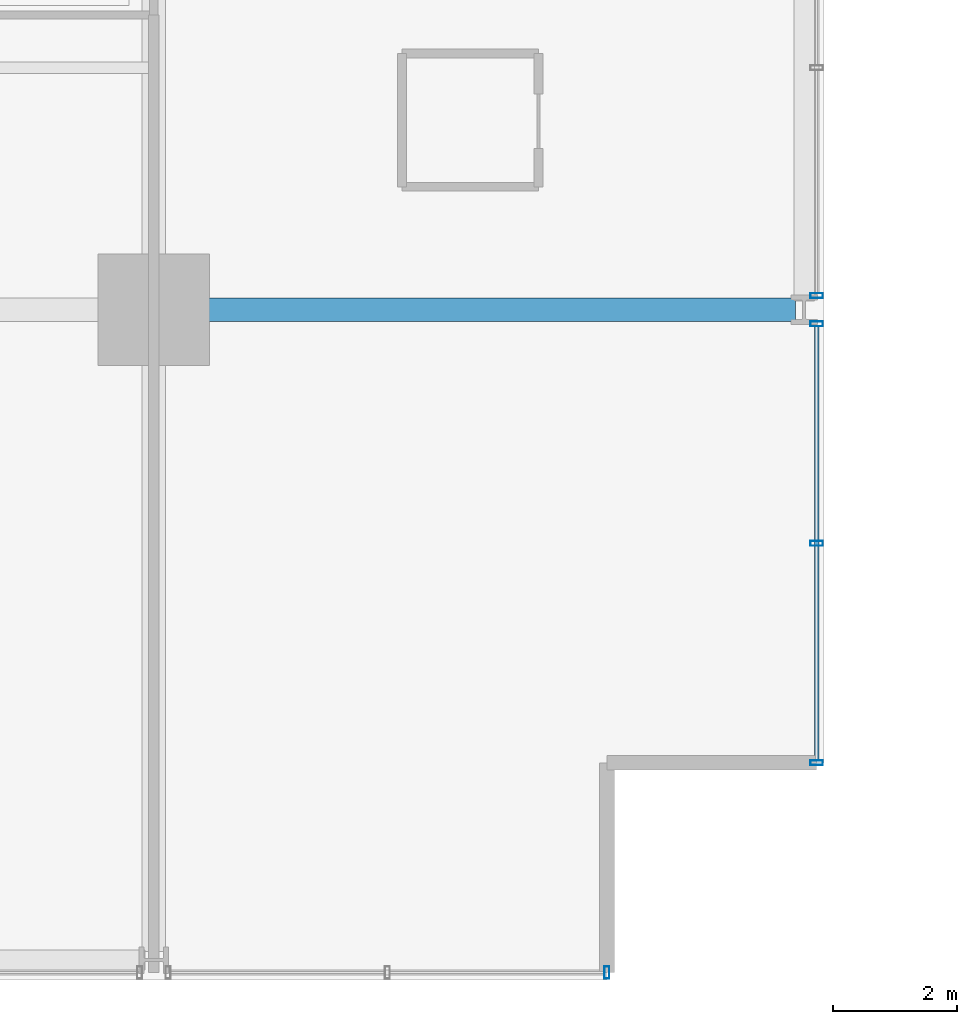
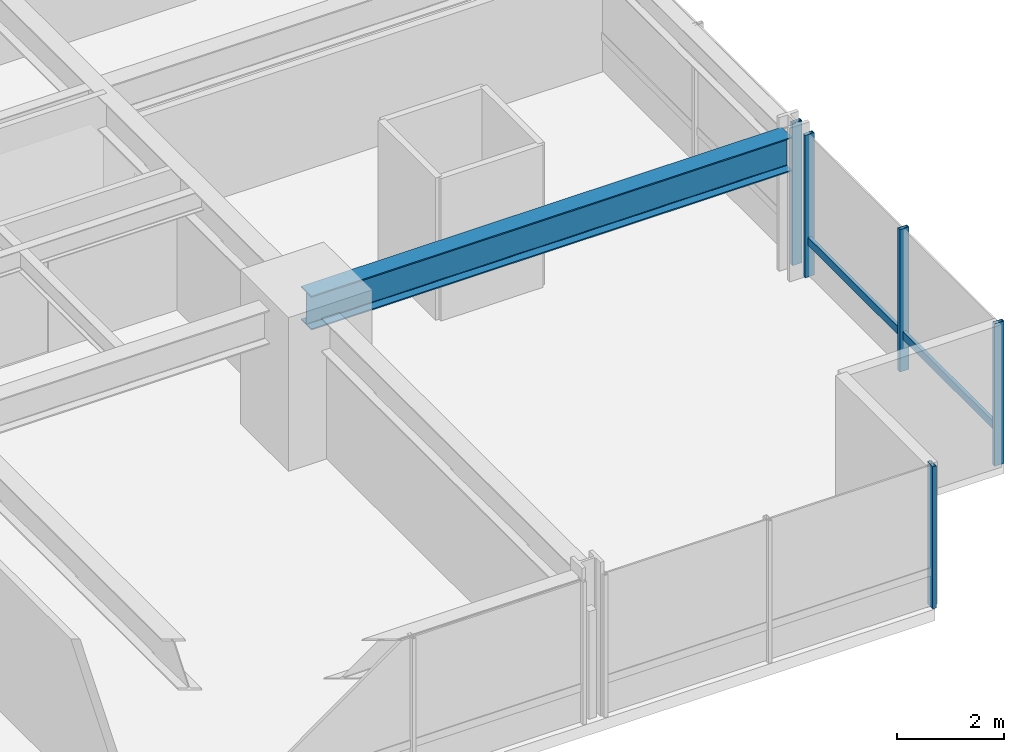
# One storey, part 13 of 38: 6 members, 1 beam, 3 elements without a shape of their own.
"""IFC4 building model written with IfcOpenShell, lengths in metres."""

import ifcopenshell
import ifcopenshell.guid

model = None  # the IFC model being written
_history = None  # IfcOwnerHistory: only IFC2X3 demands one
_inside = {}  # id of a spatial element -> (the spatial element, [elements in it])
_under = {}  # id of a project, library or spatial element -> (it, [spatial elements below it])
_declared = {}  # id of a project -> (the project, [libraries it declares])
_typed = {}  # id of a type object -> (the type object, [elements of that type])
_made_of = {}  # id of a material, layer set ... -> (it, [elements and type objects made of it])


def new_model(schema):
    """Start an empty IFC model of exactly this schema.

    Asked for "IFC4X3", IfcOpenShell would pick the latest addendum, in which some entities
    have other attributes; the version numbers below select the first issue.
    IFC2X3 requires an IfcOwnerHistory on every rooted entity: one is made here for all.
    """
    global model, _history
    if schema == "IFC4X3":
        model = ifcopenshell.file(schema_version=(4, 3, 0, 0))
    else:
        model = ifcopenshell.file(schema=schema)
    _inside.clear()
    _under.clear()
    _declared.clear()
    _typed.clear()
    _made_of.clear()
    _history = None
    if model.schema == "IFC2X3":
        org = make("IfcOrganization", Name="unknown")
        user = make(
            "IfcPersonAndOrganization",
            ThePerson=make("IfcPerson", FamilyName="unknown"),
            TheOrganization=org,
        )
        app = make(
            "IfcApplication",
            ApplicationDeveloper=org,
            Version="unknown",
            ApplicationFullName="unknown",
            ApplicationIdentifier="unknown",
        )
        _history = make(
            "IfcOwnerHistory",
            OwningUser=user,
            OwningApplication=app,
            ChangeAction="ADDED",
            CreationDate=0,
        )
    return model


def make(cls, **values):
    """One entity of the class cls with the attributes given. An attribute that is None is left unset."""
    return model.create_entity(
        cls, **{name: value for name, value in values.items() if value is not None}
    )


def rooted(cls, **values):
    """An entity with a GlobalId (a new one), such as an element, a storey or a relation."""
    return make(cls, GlobalId=ifcopenshell.guid.new(), OwnerHistory=_history, **values)


def si_unit(unit_type, name, prefix=None):
    """IfcSIUnit, for example si_unit("LENGTHUNIT", "METRE", prefix="MILLI")."""
    return make("IfcSIUnit", UnitType=unit_type, Prefix=prefix, Name=name)


def assignment(units):
    """IfcUnitAssignment: the units of a project."""
    return None if units is None else make("IfcUnitAssignment", Units=units)


def point(xyz):
    """IfcCartesianPoint."""
    return None if xyz is None else make("IfcCartesianPoint", Coordinates=xyz)


def direction(xyz):
    """IfcDirection."""
    return None if xyz is None else make("IfcDirection", DirectionRatios=xyz)


def frame(location, z_axis=None, x_axis=None):
    """IfcAxis2Placement3D, a coordinate frame: its origin and axes. An axis left out is left unset."""
    return make(
        "IfcAxis2Placement3D",
        Location=point(location),
        Axis=direction(z_axis),
        RefDirection=direction(x_axis),
    )


def frame_2d(location, x_axis=None):
    """IfcAxis2Placement2D, a coordinate frame in the plane: its origin and x axis."""
    return make(
        "IfcAxis2Placement2D", Location=point(location), RefDirection=direction(x_axis)
    )


def origin():
    """The frame at (0, 0, 0) with its axes left unset."""
    return frame((0.0, 0.0, 0.0))


def origin_2d():
    """The frame at (0, 0) in the plane with its x axis left unset."""
    return frame_2d((0.0, 0.0))


def place(relative_to, where):
    """IfcLocalPlacement: puts the frame where relative to a parent placement (None: the world)."""
    return make(
        "IfcLocalPlacement", PlacementRelTo=relative_to, RelativePlacement=where
    )


def context(
    kind, dimensions, precision=None, world=None, true_north=None, identifier=None
):
    """IfcGeometricRepresentationContext, for example the 3D "Model" context."""
    return make(
        "IfcGeometricRepresentationContext",
        ContextIdentifier=identifier,
        ContextType=kind,
        CoordinateSpaceDimension=dimensions,
        Precision=precision,
        WorldCoordinateSystem=world,
        TrueNorth=true_north,
    )


def subcontext(parent, identifier, kind, view, scale=None):
    """IfcGeometricRepresentationSubContext, for example "Body" below "Model"."""
    return make(
        "IfcGeometricRepresentationSubContext",
        ContextIdentifier=identifier,
        ContextType=kind,
        ParentContext=parent,
        TargetScale=scale,
        TargetView=view,
    )


def project(units=None, contexts=None):
    """IfcProject with its units and contexts."""
    return rooted(
        "IfcProject",
        Name="project",
        RepresentationContexts=contexts,
        UnitsInContext=assignment(units),
    )


def spatial(cls, under=None, at=None, **own):
    """A site, building, storey or space (cls), placed at a placement, below another one or the project."""
    s = rooted(cls, ObjectPlacement=at, **own)
    if under is not None:
        _under.setdefault(under.id(), (under, []))[1].append(s)
    return s


def profile(cls, at=None, kind="AREA", **sizes):
    """A parametric profile (cls). Its sizes go by their IFC names, for example OverallWidth=200.0."""
    return make(cls, ProfileType=kind, Position=at, **sizes)


def hollow_rectangle(**sizes):
    """IfcRectangleHollowProfileDef."""
    return profile("IfcRectangleHollowProfileDef", **sizes)


def i_section(**sizes):
    """IfcIShapeProfileDef."""
    return profile("IfcIShapeProfileDef", **sizes)


def extrude(swept, where, along, depth):
    """IfcExtrudedAreaSolid: the profile swept, set in the frame where, extruded along a direction by depth."""
    return make(
        "IfcExtrudedAreaSolid",
        SweptArea=swept,
        Position=where,
        ExtrudedDirection=direction(along),
        Depth=depth,
    )


def shape(context_of_items, identifier, shape_type, items):
    """IfcShapeRepresentation: the items that make up one representation, for example the "Body"."""
    return make(
        "IfcShapeRepresentation",
        ContextOfItems=context_of_items,
        RepresentationIdentifier=identifier,
        RepresentationType=shape_type,
        Items=items,
    )


def material(Name=None, Category=None):
    """IfcMaterial."""
    return make("IfcMaterial", Name=Name, Category=Category)


def layer(
    of_material, thickness, ventilated=None, Name=None, Category=None, Priority=None
):
    """IfcMaterialLayer: one layer of a wall or slab, of a material (None: an air gap)."""
    return make(
        "IfcMaterialLayer",
        Material=of_material,
        LayerThickness=thickness,
        IsVentilated=ventilated,
        Name=Name,
        Category=Category,
        Priority=Priority,
    )


def layer_set(layers, Name=None):
    """IfcMaterialLayerSet."""
    return make("IfcMaterialLayerSet", MaterialLayers=layers, LayerSetName=Name)


def material_profile(
    of_material, cross_section, Name=None, Category=None, Priority=None
):
    """IfcMaterialProfile: a cross section and its material."""
    return make(
        "IfcMaterialProfile",
        Name=Name,
        Material=of_material,
        Profile=cross_section,
        Priority=Priority,
        Category=Category,
    )


def profile_set(profiles, Name=None, composite=None):
    """IfcMaterialProfileSet."""
    return make(
        "IfcMaterialProfileSet",
        Name=Name,
        MaterialProfiles=profiles,
        CompositeProfile=composite,
    )


def made_of(thing, what):
    """Note that an element or type object is made of a material, layer set ...; save() writes the relation."""
    if what is not None:
        _made_of.setdefault(what.id(), (what, []))[1].append(thing)
    return thing


def type_object(cls, material=None, **own):
    """A type object (cls), such as IfcWallType, which elements share."""
    return made_of(rooted(cls, **own), material)


def element(
    cls,
    number,
    at=None,
    inside=None,
    cuts=None,
    type_object=None,
    material=None,
    context=None,
    identifier="Body",
    shape_type=None,
    held_by="IfcProductDefinitionShape",
    body=None,
    shapes=None,
    **own,
):
    """One element of the class cls, such as IfcWall. Its Tag is "e" and its number.

    at: its placement. inside: the storey or other place that contains it. cuts: it is an
    opening in that element (IfcRelVoidsElement). A single representation is given by context,
    identifier, shape_type and body (its items); several are given by shapes. held_by: the class
    of the entity that holds the representations. save() writes the other relations.
    """
    e = rooted(cls, Tag="e%d" % number, ObjectPlacement=at, **own)
    if body is not None:
        shapes = [shape(context, identifier, shape_type, body)]
    if shapes is not None:
        e.Representation = make(held_by, Representations=shapes)
    if inside is not None:
        _inside.setdefault(inside.id(), (inside, []))[1].append(e)
    if cuts is not None:
        rooted(
            "IfcRelVoidsElement", RelatingBuildingElement=cuts, RelatedOpeningElement=e
        )
    if type_object is not None:
        _typed.setdefault(type_object.id(), (type_object, []))[1].append(e)
    return made_of(e, material)


def aggregate(whole, parts):
    """IfcRelAggregates: a whole, such as a stair, and the parts it consists of."""
    return rooted("IfcRelAggregates", RelatingObject=whole, RelatedObjects=parts)


def save(model, path):
    """Write the relations noted so far, then the file.

    IfcRelAggregates (storeys below a building ...), IfcRelContainedInSpatialStructure (elements
    in a storey), IfcRelDefinesByType, IfcRelAssociatesMaterial and IfcRelDeclares: one each for
    every whole, place, type object, material and project.
    """
    for whole, parts in _under.values():
        aggregate(whole, parts)
    for where, things in _inside.values():
        rooted(
            "IfcRelContainedInSpatialStructure",
            RelatedElements=things,
            RelatingStructure=where,
        )
    for kind, things in _typed.values():
        rooted("IfcRelDefinesByType", RelatedObjects=things, RelatingType=kind)
    for what, things in _made_of.values():
        rooted("IfcRelAssociatesMaterial", RelatedObjects=things, RelatingMaterial=what)
    for by, libraries in _declared.values():
        rooted("IfcRelDeclares", RelatingContext=by, RelatedDefinitions=libraries)
    model.write(path)


model = new_model("IFC4")

# Units and contexts
model_context = context("Model", 3, precision=1e-05, world=origin(), true_north=direction((0.0, 1.0)))
body_context = subcontext(model_context, "Body", "Model", "MODEL_VIEW")
ifc_project = project(units=[si_unit("LENGTHUNIT", "METRE"), si_unit("AREAUNIT", "SQUARE_METRE"), si_unit("VOLUMEUNIT", "CUBIC_METRE"), si_unit("PLANEANGLEUNIT", "RADIAN"), si_unit("MASSUNIT", "GRAM", prefix="KILO")], contexts=[model_context])

# Site, building, storey
site_placement = place(None, origin())
site = spatial("IfcSite", under=ifc_project, at=site_placement, CompositionType="ELEMENT")
building_placement = place(site_placement, origin())
building = spatial("IfcBuilding", under=site, at=building_placement, Name="Drelvath Grand Hotel", CompositionType="ELEMENT")
storey_placement = place(building_placement, frame((0.0, 0.0, 64.699951171875)))
storey = spatial("IfcBuildingStorey", under=building, at=storey_placement, Name="L15", CompositionType="ELEMENT", Elevation=64.699951171875)

# Curtain wall, members
ifc_material_1 = material(Name="Warm Bronze Anodised Aluminium Frame", Category="aluminium")
ifc_layer = layer(ifc_material_1, 0.199951171875)
ifc_layer_set = layer_set([ifc_layer], Name="Warm Bronze Anodised Aluminium Frame")
curtain_wall_type = type_object("IfcCurtainWallType", Name="Stick Curtain Wall CW-02 Warm Bronze Low-Rise", PredefinedType="NOTDEFINED", material=ifc_layer_set)
curtain_wall_1_placement = place(storey_placement, origin())
curtain_wall_1 = element("IfcCurtainWall", 1, at=curtain_wall_1_placement, inside=storey, type_object=curtain_wall_type, Name="L15 CW-02 Curtain Wall CW02-L15-ES1", PredefinedType="NOTDEFINED")
ifc_material_profile_1 = material_profile(ifc_material_1, hollow_rectangle(XDim=0.074951171875, YDim=0.179931640625, WallThickness=0.0048828125, at=origin_2d()), Name="HSS180X75X5")
ifc_profile_set_1 = profile_set([ifc_material_profile_1], Name="Warm Bronze Anodised Aluminium Frame")
member_type_1 = type_object("IfcMemberType", Name="Curtain Wall Horizontal Transom CW-02 HSS180X75X5", PredefinedType="USERDEFINED", material=ifc_profile_set_1)
member_1_placement = place(storey_placement, frame((26.8798828125, 10.531005859375, 0.81005859375), z_axis=(0.0, -1.0, 0.0), x_axis=(1.0, 0.0, 0.0)))
member_1 = element("IfcMember", 2, at=member_1_placement, type_object=member_type_1, Name="CW02-L15-ES1 Sill Transom", ObjectType="TRANSOM", PredefinedType="USERDEFINED", context=body_context, shape_type="SweptSolid", body=[
    extrude(hollow_rectangle(XDim=0.074951171875, YDim=0.179931640625, WallThickness=0.0048828125, at=origin_2d()), origin(), (0.0, 0.0, 1.0), 6.990966796875),
])
ifc_material_profile_2 = material_profile(ifc_material_1, hollow_rectangle(XDim=0.080078125, YDim=0.199951171875, WallThickness=0.0048828125, at=origin_2d()), Name="HSS200X80X5")
ifc_profile_set_2 = profile_set([ifc_material_profile_2], Name="Warm Bronze Anodised Aluminium Frame")
member_type_2 = type_object("IfcMemberType", Name="Curtain Wall Vertical Mullion CW-02 HSS200X80X5", PredefinedType="MULLION", material=ifc_profile_set_2)
member_2_placement = place(storey_placement, frame((26.8798828125, 10.57080078125, 0.0), z_axis=(0.0, 0.0, 1.0), x_axis=(0.0, 1.0, 0.0)))
member_2 = element("IfcMember", 3, at=member_2_placement, type_object=member_type_2, Name="CW02-L15-ES1 Mullion 1", PredefinedType="MULLION", context=body_context, shape_type="SweptSolid", body=[
    extrude(hollow_rectangle(XDim=0.080078125, YDim=0.199951171875, WallThickness=0.0048828125, at=origin_2d()), origin(), (0.0, 0.0, 1.0), 3.239990234375),
])
member_3_placement = place(storey_placement, frame((26.8798828125, 7.035400390625, 0.0), z_axis=(0.0, 0.0, 1.0), x_axis=(0.0, 1.0, 0.0)))
member_3 = element("IfcMember", 4, at=member_3_placement, type_object=member_type_2, Name="CW02-L15-ES1 Mullion 2", PredefinedType="MULLION", context=body_context, shape_type="SweptSolid", body=[
    extrude(hollow_rectangle(XDim=0.080078125, YDim=0.199951171875, WallThickness=0.0048828125, at=origin_2d()), origin(), (0.0, 0.0, 1.0), 3.239990234375),
])
member_4_placement = place(storey_placement, frame((26.8798828125, 3.5, 0.0), z_axis=(0.0, 0.0, 1.0), x_axis=(0.0, 1.0, 0.0)))
member_4 = element("IfcMember", 5, at=member_4_placement, type_object=member_type_2, Name="CW02-L15-ES1 Mullion 3", PredefinedType="MULLION", context=body_context, shape_type="SweptSolid", body=[
    extrude(hollow_rectangle(XDim=0.080078125, YDim=0.199951171875, WallThickness=0.0048828125, at=origin_2d()), origin(), (0.0, 0.0, 1.0), 3.239990234375),
])
aggregate(curtain_wall_1, [member_2, member_3, member_4, member_1])

# Curtain wall, member
curtain_wall_2_placement = place(storey_placement, origin())
curtain_wall_2 = element("IfcCurtainWall", 6, at=curtain_wall_2_placement, inside=storey, type_object=curtain_wall_type, Name="L15 CW-02 Curtain Wall CW02-L15-ES2", PredefinedType="NOTDEFINED")
member_5_placement = place(storey_placement, frame((26.8798828125, 11.029052734375, 0.0), z_axis=(0.0, 0.0, 1.0), x_axis=(0.0, 1.0, 0.0)))
member_5 = element("IfcMember", 7, at=member_5_placement, type_object=member_type_2, Name="CW02-L15-ES2 Mullion 3", PredefinedType="MULLION", context=body_context, shape_type="SweptSolid", body=[
    extrude(hollow_rectangle(XDim=0.080078125, YDim=0.199951171875, WallThickness=0.0048828125, at=origin_2d()), origin(), (0.0, 0.0, 1.0), 3.239990234375),
])
aggregate(curtain_wall_2, [member_5])

curtain_wall_3_placement = place(storey_placement, origin())
curtain_wall_3 = element("IfcCurtainWall", 8, at=curtain_wall_3_placement, inside=storey, type_object=curtain_wall_type, Name="L15 CW-02 Curtain Wall CW02-L15-SE3", PredefinedType="NOTDEFINED")
member_6_placement = place(storey_placement, frame((23.5, 0.1201171875, 0.0), z_axis=(0.0, 0.0, 1.0), x_axis=(1.0, 0.0, 0.0)))
member_6 = element("IfcMember", 9, at=member_6_placement, type_object=member_type_2, Name="CW02-L15-SE3 Mullion 1", PredefinedType="MULLION", context=body_context, shape_type="SweptSolid", body=[
    extrude(hollow_rectangle(XDim=0.080078125, YDim=0.199951171875, WallThickness=0.0048828125, at=origin_2d()), origin(), (0.0, 0.0, 1.0), 3.239990234375),
])
aggregate(curtain_wall_3, [member_6])

# Beam
ifc_material_2 = material(Name="Steel ASTM A992 Gr 50", Category="steel")
ifc_material_profile_3 = material_profile(ifc_material_2, i_section(OverallWidth=0.380615234375, OverallDepth=0.773193359375, WebThickness=0.0166015625, FlangeThickness=0.027099609375, FilletRadius=0.02490234375, at=origin_2d()), Name="W30X173")
ifc_profile_set_3 = profile_set([ifc_material_profile_3], Name="Steel ASTM A992 Gr 50")
beam_type = type_object("IfcBeamType", Name="Primary Floor Girder W30X173", PredefinedType="BEAM", material=ifc_profile_set_3)
beam_placement = place(storey_placement, frame((16.199951171875, 10.800048828125, 2.853515625), z_axis=(1.0, 0.0, 0.0), x_axis=(0.0, 1.0, 0.0)))
element("IfcBeam", 10, at=beam_placement, inside=storey, type_object=beam_type, Name="L15 East Grid Girder C", PredefinedType="BEAM", context=body_context, shape_type="SweptSolid", body=[
    extrude(i_section(OverallWidth=0.380615234375, OverallDepth=0.773193359375, WebThickness=0.0166015625, FlangeThickness=0.027099609375, FilletRadius=0.02490234375, at=origin_2d()), origin(), (0.0, 0.0, 1.0), 10.340087890625),
])

save(model, "model.ifc")
